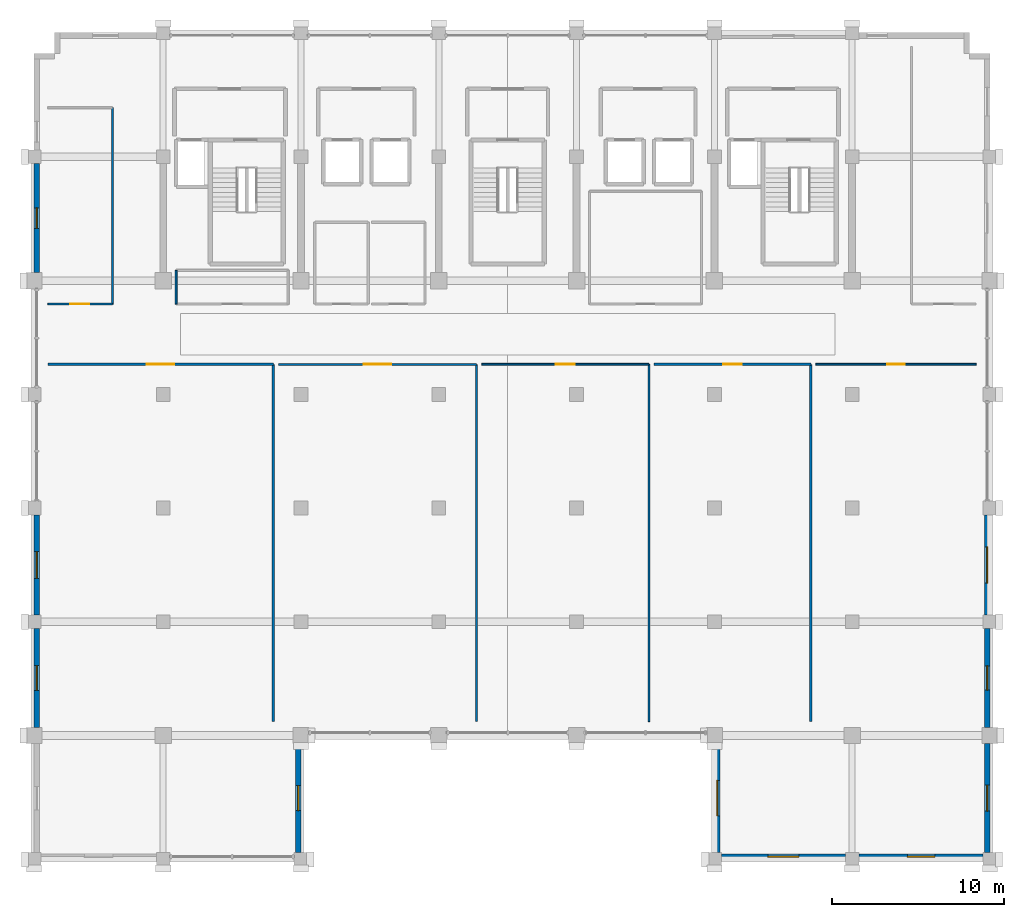
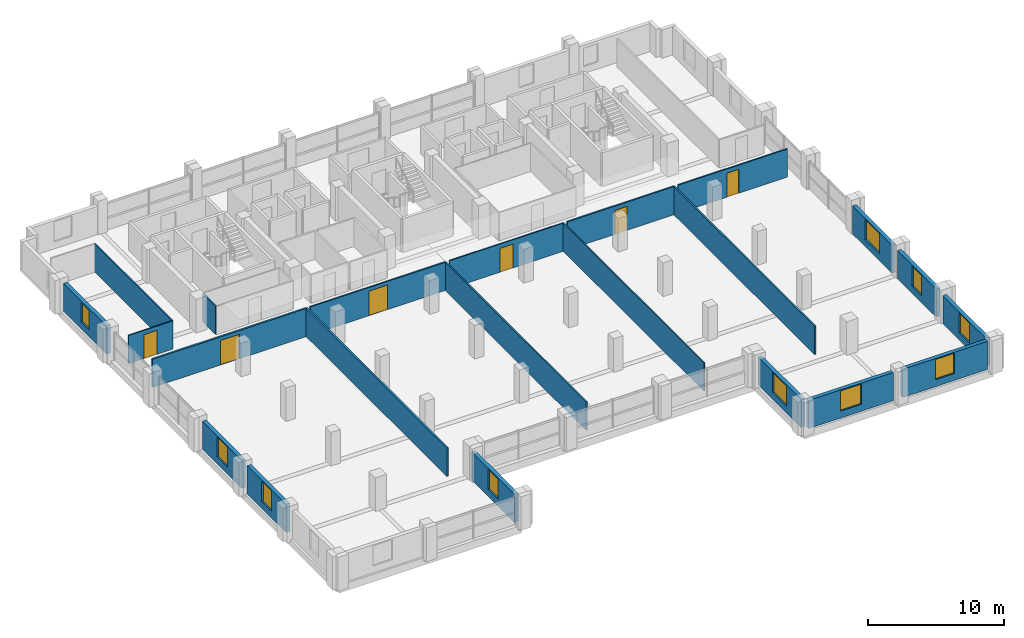
# One storey, part 19 of 23: 22 walls, 10 windows, 6 doors, 16 openings.
"""IFC4 building model written with IfcOpenShell, lengths in metres."""

from ifc_helpers import new_model, si_unit, direction, frame, frame_2d, origin, place, context, subcontext, project, spatial, rectangle, extrude, material, layer, layer_set, type_object, element, fill, save


model = new_model("IFC4")

# Units and contexts
model_context = context("Model", 3, precision=1e-05, world=origin(), true_north=direction((0.0, 1.0)))
body_context = subcontext(model_context, "Body", "Model", "MODEL_VIEW")
ifc_project = project(units=[si_unit("LENGTHUNIT", "METRE"), si_unit("AREAUNIT", "SQUARE_METRE"), si_unit("VOLUMEUNIT", "CUBIC_METRE"), si_unit("PLANEANGLEUNIT", "RADIAN"), si_unit("MASSUNIT", "GRAM", prefix="KILO")], contexts=[model_context])

# Site, building, storey
site_placement = place(None, origin())
site = spatial("IfcSite", under=ifc_project, at=site_placement, CompositionType="ELEMENT")
building_placement = place(site_placement, origin())
building = spatial("IfcBuilding", under=site, at=building_placement, Name="Akrevak Sports Hall", CompositionType="ELEMENT")
storey_placement = place(building_placement, frame((0.0, 0.0, 47.050048828125)))
storey = spatial("IfcBuildingStorey", under=building, at=storey_placement, Name="L11", CompositionType="ELEMENT", Elevation=47.050048828125)

# Wall, opening, window
ifc_material_1 = material(Name="Limestone Ashlar", Category="stone")
ifc_layer_1 = layer(ifc_material_1, 0.070068359375, Name="Limestone Ashlar")
ifc_material_2 = material(Name="Mineral Wool Thermal Insulation", Category="insulation")
ifc_layer_2 = layer(ifc_material_2, 0.090087890625, Name="Mineral Wool Thermal Insulation")
ifc_material_3 = material(Name="Concrete C40/50", Category="concrete")
ifc_layer_3 = layer(ifc_material_3, 0.159912109375, Name="Concrete C40/50")
ifc_layer_set_1 = layer_set([ifc_layer_1, ifc_layer_2, ifc_layer_3], Name="Limestone Ashlar / Mineral Wool Thermal Insulation / Concrete C40/50")
wall_type_1 = type_object("IfcWallType", Name="ARC-WL-EXT-320", PredefinedType="SOLIDWALL", material=ifc_layer_set_1)
wall_1_placement = place(storey_placement, frame((67.840087890625, 22.0, 0.0), z_axis=(0.0, 0.0, 1.0), x_axis=(0.0, 1.0, 0.0)))
wall_1 = element("IfcWall", 1, at=wall_1_placement, inside=storey, type_object=wall_type_1, Name="Tower Stone Facade Wall L11-E03", PredefinedType="SOLIDWALL", context=body_context, shape_type="SweptSolid", body=[
    extrude(rectangle(XDim=6.324951171875, YDim=0.320068359375, at=frame_2d((3.16259765625, 0.0))), origin(), (0.0, 0.0, 1.0), 2.530029296875),
])
opening_1_placement = place(wall_1_placement, frame((2.4375, 0.0, 0.6201171875)))
opening_1 = element("IfcOpeningElement", 2, at=opening_1_placement, cuts=wall_1, Name="Opening WN-51", PredefinedType="OPENING", context=body_context, shape_type="SweptSolid", body=[
    extrude(rectangle(XDim=1.449951171875, YDim=1.81005859375, at=frame_2d((0.72509765625, 0.905029296875))), frame((0.0, 0.171875, 0.0), z_axis=(0.0, -1.0, 0.0), x_axis=(1.0, 0.0, 0.0)), (0.0, 0.0, 1.0), 0.343994140625),
])
ifc_material_4 = material(Name="Thermally Broken Bronze Frame & Double Low-E Glass", Category="glass")
window_type_1 = type_object("IfcWindowType", Name="ARC-WIN-SZ-1450x1810", PartitioningType="SINGLE_PANEL", PredefinedType="WINDOW", material=ifc_material_4)
window_1_placement = place(opening_1_placement, origin())
window_1 = element("IfcWindow", 3, at=window_1_placement, inside=storey, type_object=window_type_1, Name="Tower Window L11-E03", OverallHeight=1.81005859375, OverallWidth=1.449951171875, PartitioningType="SINGLE_PANEL", PredefinedType="WINDOW", context=body_context, shape_type="SweptSolid", body=[
    extrude(rectangle(XDim=1.449951171875, YDim=1.81005859375, at=frame_2d((0.72509765625, 0.905029296875))), frame((0.0, 0.030029296875, 0.0), z_axis=(0.0, -1.0, 0.0), x_axis=(1.0, 0.0, 0.0)), (0.0, 0.0, 1.0), 0.06005859375),
])
fill(opening_1, window_1)

wall_2_placement = place(storey_placement, frame((92.159912109375, 28.324951171875, 0.0), z_axis=(0.0, 0.0, 1.0), x_axis=(0.0, -1.0, 0.0)))
wall_2 = element("IfcWall", 4, at=wall_2_placement, inside=storey, type_object=wall_type_1, Name="Tower Stone Facade Wall L11-W07", PredefinedType="SOLIDWALL", context=body_context, shape_type="SweptSolid", body=[
    extrude(rectangle(XDim=6.324951171875, YDim=0.320068359375, at=frame_2d((3.16259765625, 0.0))), origin(), (0.0, 0.0, 1.0), 2.530029296875),
])
opening_2_placement = place(wall_2_placement, frame((2.137451171875, 0.0, 0.6201171875)))
opening_2 = element("IfcOpeningElement", 5, at=opening_2_placement, cuts=wall_2, Name="Opening WN-53", PredefinedType="OPENING", context=body_context, shape_type="SweptSolid", body=[
    extrude(rectangle(XDim=2.050048828125, YDim=1.81005859375, at=frame_2d((1.02490234375, 0.905029296875))), frame((0.0, 0.171875, 0.0), z_axis=(0.0, -1.0, 0.0), x_axis=(1.0, 0.0, 0.0)), (0.0, 0.0, 1.0), 0.343994140625),
])
window_type_2 = type_object("IfcWindowType", Name="ARC-WIN-SZ-2050x1810", PartitioningType="SINGLE_PANEL", PredefinedType="WINDOW", material=ifc_material_4)
window_2_placement = place(opening_2_placement, origin())
window_2 = element("IfcWindow", 6, at=window_2_placement, inside=storey, type_object=window_type_2, Name="Tower Window L11-W07", OverallHeight=1.81005859375, OverallWidth=2.050048828125, PartitioningType="SINGLE_PANEL", PredefinedType="WINDOW", context=body_context, shape_type="SweptSolid", body=[
    extrude(rectangle(XDim=2.050048828125, YDim=1.81005859375, at=frame_2d((1.02490234375, 0.905029296875))), frame((0.0, 0.030029296875, 0.0), z_axis=(0.0, -1.0, 0.0), x_axis=(1.0, 0.0, 0.0)), (0.0, 0.0, 1.0), 0.06005859375),
])
fill(opening_2, window_2)

wall_3_placement = place(storey_placement, frame((92.39990234375, 21.760009765625, 0.0), z_axis=(0.0, 0.0, 1.0), x_axis=(1.0, 0.0, 0.0)))
wall_3 = element("IfcWall", 7, at=wall_3_placement, inside=storey, type_object=wall_type_1, Name="Tower Stone Facade Wall L11-S08", PredefinedType="SOLIDWALL", context=body_context, shape_type="SweptSolid", body=[
    extrude(rectangle(XDim=7.2001953125, YDim=0.320068359375, at=frame_2d((3.60009765625, 0.0))), origin(), (0.0, 0.0, 1.0), 2.530029296875),
])
opening_3_placement = place(wall_3_placement, frame((2.699951171875, 0.0, 0.6201171875)))
opening_3 = element("IfcOpeningElement", 8, at=opening_3_placement, cuts=wall_3, Name="Opening WN-54", PredefinedType="OPENING", context=body_context, shape_type="SweptSolid", body=[
    extrude(rectangle(XDim=1.800048828125, YDim=1.81005859375, at=frame_2d((0.89990234375, 0.905029296875))), frame((0.0, 0.171875, 0.0), z_axis=(0.0, -1.0, 0.0), x_axis=(1.0, 0.0, 0.0)), (0.0, 0.0, 1.0), 0.343994140625),
])
window_type_3 = type_object("IfcWindowType", Name="ARC-WIN-SZ-1800x1810", PartitioningType="SINGLE_PANEL", PredefinedType="WINDOW", material=ifc_material_4)
window_3_placement = place(opening_3_placement, origin())
window_3 = element("IfcWindow", 9, at=window_3_placement, inside=storey, type_object=window_type_3, Name="Tower Window L11-S08", OverallHeight=1.81005859375, OverallWidth=1.800048828125, PartitioningType="SINGLE_PANEL", PredefinedType="WINDOW", context=body_context, shape_type="SweptSolid", body=[
    extrude(rectangle(XDim=1.800048828125, YDim=1.81005859375, at=frame_2d((0.89990234375, 0.905029296875))), frame((0.0, 0.030029296875, 0.0), z_axis=(0.0, -1.0, 0.0), x_axis=(1.0, 0.0, 0.0)), (0.0, 0.0, 1.0), 0.06005859375),
])
fill(opening_3, window_3)

wall_4_placement = place(storey_placement, frame((100.39990234375, 21.760009765625, 0.0), z_axis=(0.0, 0.0, 1.0), x_axis=(1.0, 0.0, 0.0)))
wall_4 = element("IfcWall", 10, at=wall_4_placement, inside=storey, type_object=wall_type_1, Name="Tower Stone Facade Wall L11-S09", PredefinedType="SOLIDWALL", context=body_context, shape_type="SweptSolid", body=[
    extrude(rectangle(XDim=7.2001953125, YDim=0.320068359375, at=frame_2d((3.60009765625, 0.0))), origin(), (0.0, 0.0, 1.0), 2.530029296875),
])
opening_4_placement = place(wall_4_placement, frame((2.800048828125, 0.0, 0.6201171875)))
opening_4 = element("IfcOpeningElement", 11, at=opening_4_placement, cuts=wall_4, Name="Opening WN-57", PredefinedType="OPENING", context=body_context, shape_type="SweptSolid", body=[
    extrude(rectangle(XDim=1.60009765625, YDim=1.81005859375, at=frame_2d((0.800048828125, 0.905029296875))), frame((0.0, 0.171875, 0.0), z_axis=(0.0, -1.0, 0.0), x_axis=(1.0, 0.0, 0.0)), (0.0, 0.0, 1.0), 0.343994140625),
])
window_type_4 = type_object("IfcWindowType", Name="ARC-WIN-SZ-1600x1810", PartitioningType="SINGLE_PANEL", PredefinedType="WINDOW", material=ifc_material_4)
window_4_placement = place(opening_4_placement, origin())
window_4 = element("IfcWindow", 12, at=window_4_placement, inside=storey, type_object=window_type_4, Name="Tower Window L11-S09", OverallHeight=1.81005859375, OverallWidth=1.60009765625, PartitioningType="SINGLE_PANEL", PredefinedType="WINDOW", context=body_context, shape_type="SweptSolid", body=[
    extrude(rectangle(XDim=1.60009765625, YDim=1.81005859375, at=frame_2d((0.800048828125, 0.905029296875))), frame((0.0, 0.030029296875, 0.0), z_axis=(0.0, -1.0, 0.0), x_axis=(1.0, 0.0, 0.0)), (0.0, 0.0, 1.0), 0.06005859375),
])
fill(opening_4, window_4)

wall_5_placement = place(storey_placement, frame((107.840087890625, 22.0, 0.0), z_axis=(0.0, 0.0, 1.0), x_axis=(0.0, 1.0, 0.0)))
wall_5 = element("IfcWall", 13, at=wall_5_placement, inside=storey, type_object=wall_type_1, Name="Tower Stone Facade Wall L11-E10", PredefinedType="SOLIDWALL", context=body_context, shape_type="SweptSolid", body=[
    extrude(rectangle(XDim=6.324951171875, YDim=0.320068359375, at=frame_2d((3.16259765625, 0.0))), origin(), (0.0, 0.0, 1.0), 2.530029296875),
])
opening_5_placement = place(wall_5_placement, frame((2.41259765625, 0.0, 0.6201171875)))
opening_5 = element("IfcOpeningElement", 14, at=opening_5_placement, cuts=wall_5, Name="Opening WN-48", PredefinedType="OPENING", context=body_context, shape_type="SweptSolid", body=[
    extrude(rectangle(XDim=1.5, YDim=1.81005859375, at=frame_2d((0.75, 0.905029296875))), frame((0.0, 0.171875, 0.0), z_axis=(0.0, -1.0, 0.0), x_axis=(1.0, 0.0, 0.0)), (0.0, 0.0, 1.0), 0.343994140625),
])
window_type_5 = type_object("IfcWindowType", Name="ARC-WIN-SZ-1500x1810", PartitioningType="SINGLE_PANEL", PredefinedType="WINDOW", material=ifc_material_4)
window_5_placement = place(opening_5_placement, origin())
window_5 = element("IfcWindow", 15, at=window_5_placement, inside=storey, type_object=window_type_5, Name="Tower Window L11-E10", OverallHeight=1.81005859375, OverallWidth=1.5, PartitioningType="SINGLE_PANEL", PredefinedType="WINDOW", context=body_context, shape_type="SweptSolid", body=[
    extrude(rectangle(XDim=1.5, YDim=1.81005859375, at=frame_2d((0.75, 0.905029296875))), frame((0.0, 0.030029296875, 0.0), z_axis=(0.0, -1.0, 0.0), x_axis=(1.0, 0.0, 0.0)), (0.0, 0.0, 1.0), 0.06005859375),
])
fill(opening_5, window_5)

wall_6_placement = place(storey_placement, frame((107.840087890625, 29.27490234375, 0.0), z_axis=(0.0, 0.0, 1.0), x_axis=(0.0, 1.0, 0.0)))
wall_6 = element("IfcWall", 16, at=wall_6_placement, inside=storey, type_object=wall_type_1, Name="Tower Stone Facade Wall L11-E11", PredefinedType="SOLIDWALL", context=body_context, shape_type="SweptSolid", body=[
    extrude(rectangle(XDim=5.72509765625, YDim=0.320068359375, at=frame_2d((2.862548828125, 0.0))), origin(), (0.0, 0.0, 1.0), 2.530029296875),
])
opening_6_placement = place(wall_6_placement, frame((2.16259765625, 0.0, 0.6201171875)))
opening_6 = element("IfcOpeningElement", 17, at=opening_6_placement, cuts=wall_6, Name="Opening WN-49", PredefinedType="OPENING", context=body_context, shape_type="SweptSolid", body=[
    extrude(rectangle(XDim=1.39990234375, YDim=1.81005859375, at=frame_2d((0.699951171875, 0.905029296875))), frame((0.0, 0.171875, 0.0), z_axis=(0.0, -1.0, 0.0), x_axis=(1.0, 0.0, 0.0)), (0.0, 0.0, 1.0), 0.343994140625),
])
window_type_6 = type_object("IfcWindowType", Name="ARC-WIN-SZ-1400x1810", PartitioningType="SINGLE_PANEL", PredefinedType="WINDOW", material=ifc_material_4)
window_6_placement = place(opening_6_placement, origin())
window_6 = element("IfcWindow", 18, at=window_6_placement, inside=storey, type_object=window_type_6, Name="Tower Window L11-E11", OverallHeight=1.81005859375, OverallWidth=1.39990234375, PartitioningType="SINGLE_PANEL", PredefinedType="WINDOW", context=body_context, shape_type="SweptSolid", body=[
    extrude(rectangle(XDim=1.39990234375, YDim=1.81005859375, at=frame_2d((0.699951171875, 0.905029296875))), frame((0.0, 0.030029296875, 0.0), z_axis=(0.0, -1.0, 0.0), x_axis=(1.0, 0.0, 0.0)), (0.0, 0.0, 1.0), 0.06005859375),
])
fill(opening_6, window_6)

wall_7_placement = place(storey_placement, frame((107.840087890625, 35.800048828125, 0.0), z_axis=(0.0, 0.0, 1.0), x_axis=(0.0, 1.0, 0.0)))
wall_7 = element("IfcWall", 19, at=wall_7_placement, inside=storey, type_object=wall_type_1, Name="Tower Stone Facade Wall L11-E12", PredefinedType="SOLIDWALL", context=body_context, shape_type="SweptSolid", body=[
    extrude(rectangle(XDim=5.800048828125, YDim=0.320068359375, at=frame_2d((2.89990234375, 0.0))), origin(), (0.0, 0.0, 1.0), 2.530029296875),
])
opening_7_placement = place(wall_7_placement, frame((1.85009765625, 0.0, 0.6201171875)))
opening_7 = element("IfcOpeningElement", 20, at=opening_7_placement, cuts=wall_7, Name="Opening WN-55", PredefinedType="OPENING", context=body_context, shape_type="SweptSolid", body=[
    extrude(rectangle(XDim=2.10009765625, YDim=1.81005859375, at=frame_2d((1.050048828125, 0.905029296875))), frame((0.0, 0.171875, 0.0), z_axis=(0.0, -1.0, 0.0), x_axis=(1.0, 0.0, 0.0)), (0.0, 0.0, 1.0), 0.343994140625),
])
window_type_7 = type_object("IfcWindowType", Name="ARC-WIN-SZ-2100x1810", PartitioningType="SINGLE_PANEL", PredefinedType="WINDOW", material=ifc_material_4)
window_7_placement = place(opening_7_placement, origin())
window_7 = element("IfcWindow", 21, at=window_7_placement, inside=storey, type_object=window_type_7, Name="Tower Window L11-E12", OverallHeight=1.81005859375, OverallWidth=2.10009765625, PartitioningType="SINGLE_PANEL", PredefinedType="WINDOW", context=body_context, shape_type="SweptSolid", body=[
    extrude(rectangle(XDim=2.10009765625, YDim=1.81005859375, at=frame_2d((1.050048828125, 0.905029296875))), frame((0.0, 0.030029296875, 0.0), z_axis=(0.0, -1.0, 0.0), x_axis=(1.0, 0.0, 0.0)), (0.0, 0.0, 1.0), 0.06005859375),
])
fill(opening_7, window_7)

wall_8_placement = place(storey_placement, frame((52.659912109375, 62.0, 0.0), z_axis=(0.0, 0.0, 1.0), x_axis=(0.0, -1.0, 0.0)))
wall_8 = element("IfcWall", 22, at=wall_8_placement, inside=storey, type_object=wall_type_1, Name="Tower Stone Facade Wall L11-W29", PredefinedType="SOLIDWALL", context=body_context, shape_type="SweptSolid", body=[
    extrude(rectangle(XDim=6.324951171875, YDim=0.320068359375, at=frame_2d((3.16259765625, 0.0))), origin(), (0.0, 0.0, 1.0), 2.530029296875),
])
opening_8_placement = place(wall_8_placement, frame((2.5625, 0.0, 0.6201171875)))
opening_8 = element("IfcOpeningElement", 23, at=opening_8_placement, cuts=wall_8, Name="Opening WN-13", PredefinedType="OPENING", context=body_context, shape_type="SweptSolid", body=[
    extrude(rectangle(XDim=1.199951171875, YDim=1.699951171875, at=frame_2d((0.60009765625, 0.85009765625))), frame((0.0, 0.171875, 0.0), z_axis=(0.0, -1.0, 0.0), x_axis=(1.0, 0.0, 0.0)), (0.0, 0.0, 1.0), 0.343994140625),
])
window_type_8 = type_object("IfcWindowType", Name="ARC-WIN-TW-120x170", PartitioningType="SINGLE_PANEL", PredefinedType="WINDOW", material=ifc_material_4)
window_8_placement = place(opening_8_placement, origin())
window_8 = element("IfcWindow", 24, at=window_8_placement, inside=storey, type_object=window_type_8, Name="Tower Window L11-W29", OverallHeight=1.699951171875, OverallWidth=1.199951171875, PartitioningType="SINGLE_PANEL", PredefinedType="WINDOW", context=body_context, shape_type="SweptSolid", body=[
    extrude(rectangle(XDim=1.199951171875, YDim=1.699951171875, at=frame_2d((0.60009765625, 0.85009765625))), frame((0.0, 0.030029296875, 0.0), z_axis=(0.0, -1.0, 0.0), x_axis=(1.0, 0.0, 0.0)), (0.0, 0.0, 1.0), 0.06005859375),
])
fill(opening_8, window_8)

wall_9_placement = place(storey_placement, frame((52.659912109375, 41.60009765625, 0.0), z_axis=(0.0, 0.0, 1.0), x_axis=(0.0, -1.0, 0.0)))
wall_9 = element("IfcWall", 25, at=wall_9_placement, inside=storey, type_object=wall_type_1, Name="Tower Stone Facade Wall L11-W32", PredefinedType="SOLIDWALL", context=body_context, shape_type="SweptSolid", body=[
    extrude(rectangle(XDim=5.800048828125, YDim=0.320068359375, at=frame_2d((2.89990234375, 0.0))), origin(), (0.0, 0.0, 1.0), 2.530029296875),
])
opening_9_placement = place(wall_9_placement, frame((2.125, 0.0, 0.6201171875)))
opening_9 = element("IfcOpeningElement", 26, at=opening_9_placement, cuts=wall_9, Name="Opening WN-50", PredefinedType="OPENING", context=body_context, shape_type="SweptSolid", body=[
    extrude(rectangle(XDim=1.550048828125, YDim=1.81005859375, at=frame_2d((0.77490234375, 0.905029296875))), frame((0.0, 0.171875, 0.0), z_axis=(0.0, -1.0, 0.0), x_axis=(1.0, 0.0, 0.0)), (0.0, 0.0, 1.0), 0.343994140625),
])
window_type_9 = type_object("IfcWindowType", Name="ARC-WIN-SZ-1550x1810", PartitioningType="SINGLE_PANEL", PredefinedType="WINDOW", material=ifc_material_4)
window_9_placement = place(opening_9_placement, origin())
window_9 = element("IfcWindow", 27, at=window_9_placement, inside=storey, type_object=window_type_9, Name="Tower Window L11-W32", OverallHeight=1.81005859375, OverallWidth=1.550048828125, PartitioningType="SINGLE_PANEL", PredefinedType="WINDOW", context=body_context, shape_type="SweptSolid", body=[
    extrude(rectangle(XDim=1.550048828125, YDim=1.81005859375, at=frame_2d((0.77490234375, 0.905029296875))), frame((0.0, 0.030029296875, 0.0), z_axis=(0.0, -1.0, 0.0), x_axis=(1.0, 0.0, 0.0)), (0.0, 0.0, 1.0), 0.06005859375),
])
fill(opening_9, window_9)

wall_10_placement = place(storey_placement, frame((52.659912109375, 35.0, 0.0), z_axis=(0.0, 0.0, 1.0), x_axis=(0.0, -1.0, 0.0)))
wall_10 = element("IfcWall", 28, at=wall_10_placement, inside=storey, type_object=wall_type_1, Name="Tower Stone Facade Wall L11-W33", PredefinedType="SOLIDWALL", context=body_context, shape_type="SweptSolid", body=[
    extrude(rectangle(XDim=5.72509765625, YDim=0.320068359375, at=frame_2d((2.862548828125, 0.0))), origin(), (0.0, 0.0, 1.0), 2.530029296875),
])
opening_10_placement = place(wall_10_placement, frame((2.137451171875, 0.0, 0.6201171875)))
opening_10 = element("IfcOpeningElement", 29, at=opening_10_placement, cuts=wall_10, Name="Opening WN-51", PredefinedType="OPENING", context=body_context, shape_type="SweptSolid", body=[
    extrude(rectangle(XDim=1.449951171875, YDim=1.81005859375, at=frame_2d((0.72509765625, 0.905029296875))), frame((0.0, 0.171875, 0.0), z_axis=(0.0, -1.0, 0.0), x_axis=(1.0, 0.0, 0.0)), (0.0, 0.0, 1.0), 0.343994140625),
])
window_10_placement = place(opening_10_placement, origin())
window_10 = element("IfcWindow", 30, at=window_10_placement, inside=storey, type_object=window_type_1, Name="Tower Window L11-W33", OverallHeight=1.81005859375, OverallWidth=1.449951171875, PartitioningType="SINGLE_PANEL", PredefinedType="WINDOW", context=body_context, shape_type="SweptSolid", body=[
    extrude(rectangle(XDim=1.449951171875, YDim=1.81005859375, at=frame_2d((0.72509765625, 0.905029296875))), frame((0.0, 0.030029296875, 0.0), z_axis=(0.0, -1.0, 0.0), x_axis=(1.0, 0.0, 0.0)), (0.0, 0.0, 1.0), 0.06005859375),
])
fill(opening_10, window_10)

# Wall, opening, door
ifc_material_5 = material(Name="Sanitary Cubicle Partition", Category="gypsum")
ifc_layer_4 = layer(ifc_material_5, 0.10009765625, Name="Sanitary Cubicle Partition")
ifc_layer_set_2 = layer_set([ifc_layer_4], Name="Sanitary Cubicle Partition")
wall_type_2 = type_object("IfcWallType", Name="ARC-WL-PRT-100", PredefinedType="PARTITIONING", material=ifc_layer_set_2)
wall_11_placement = place(storey_placement, frame((78.5, 50.35009765625, 0.0), z_axis=(0.0, 0.0, 1.0), x_axis=(1.0, 0.0, 0.0)))
wall_11 = element("IfcWall", 31, at=wall_11_placement, inside=storey, type_object=wall_type_2, Name="Interior Partition Commentary & Editorial Office (L11) (N)", PredefinedType="PARTITIONING", context=body_context, shape_type="SweptSolid", body=[
    extrude(rectangle(XDim=9.699951171875, YDim=0.10009765625, at=frame_2d((4.85009765625, 0.0))), origin(), (0.0, 0.0, 1.0), 2.530029296875),
])
opening_11_placement = place(wall_11_placement, frame((4.300048828125, 0.0, 0.0)))
opening_11 = element("IfcOpeningElement", 32, at=opening_11_placement, cuts=wall_11, Name="Opening ID-04", PredefinedType="OPENING", context=body_context, shape_type="SweptSolid", body=[
    extrude(rectangle(XDim=1.10009765625, YDim=2.14990234375, at=frame_2d((0.550048828125, 1.074951171875))), frame((0.0, 0.06201171875, 0.0), z_axis=(0.0, -1.0, 0.0), x_axis=(1.0, 0.0, 0.0)), (0.0, 0.0, 1.0), 0.1240234375),
])
ifc_material_6 = material(Name="Hardwood Oak Acoustic Leaf", Category="wood")
door_type_1 = type_object("IfcDoorType", Name="ARC-DR-OFF-110x215", OperationType="NOTDEFINED", PredefinedType="DOOR", material=ifc_material_6)
door_1_placement = place(opening_11_placement, frame((1.10009765625, 0.0, 0.0), z_axis=(0.0, 0.0, 1.0), x_axis=(-1.0, 0.0, 0.0)))
door_1 = element("IfcDoor", 33, at=door_1_placement, inside=storey, type_object=door_type_1, Name="Door to Commentary & Editorial Office (L11)", OperationType="SINGLE_SWING_RIGHT", OverallHeight=2.14990234375, OverallWidth=1.10009765625, PredefinedType="DOOR", context=body_context, shape_type="SweptSolid", body=[
    extrude(rectangle(XDim=1.10009765625, YDim=2.14990234375, at=frame_2d((0.550048828125, 1.074951171875))), frame((0.0, 0.02490234375, 0.0), z_axis=(0.0, -1.0, 0.0), x_axis=(1.0, 0.0, 0.0)), (0.0, 0.0, 1.0), 0.050048828125),
])
fill(opening_11, door_1)

# Wall
wall_12_placement = place(storey_placement, frame((88.199951171875, 29.60009765625, 0.0), z_axis=(0.0, 0.0, 1.0), x_axis=(0.0, 1.0, 0.0)))
element("IfcWall", 34, at=wall_12_placement, inside=storey, type_object=wall_type_2, Name="Interior Partition Commentary & Editorial Office (L11) (E)", PredefinedType="PARTITIONING", context=body_context, shape_type="SweptSolid", body=[
    extrude(rectangle(XDim=20.75, YDim=0.10009765625, at=frame_2d((10.375, 0.0))), origin(), (0.0, 0.0, 1.0), 2.530029296875),
])

# Wall, opening, door
wall_13_placement = place(storey_placement, frame((53.300048828125, 53.85009765625, 0.0), z_axis=(0.0, 0.0, 1.0), x_axis=(1.0, 0.0, 0.0)))
wall_13 = element("IfcWall", 35, at=wall_13_placement, inside=storey, type_object=wall_type_2, Name="Interior Partition Federation Research Office L11-W1 (S)", PredefinedType="PARTITIONING", context=body_context, shape_type="SweptSolid", body=[
    extrude(rectangle(XDim=3.75, YDim=0.10009765625, at=frame_2d((1.875, 0.0))), origin(), (0.0, 0.0, 1.0), 2.530029296875),
])
opening_12_placement = place(wall_13_placement, frame((1.300048828125, 0.0, 0.0)))
opening_12 = element("IfcOpeningElement", 36, at=opening_12_placement, cuts=wall_13, Name="Opening ID-04", PredefinedType="OPENING", context=body_context, shape_type="SweptSolid", body=[
    extrude(rectangle(XDim=1.10009765625, YDim=2.14990234375, at=frame_2d((0.550048828125, 1.074951171875))), frame((0.0, 0.06201171875, 0.0), z_axis=(0.0, -1.0, 0.0), x_axis=(1.0, 0.0, 0.0)), (0.0, 0.0, 1.0), 0.1240234375),
])
door_2_placement = place(opening_12_placement, origin())
door_2 = element("IfcDoor", 37, at=door_2_placement, inside=storey, type_object=door_type_1, Name="Door to Federation Research Office L11-W1", OperationType="SINGLE_SWING_LEFT", OverallHeight=2.14990234375, OverallWidth=1.10009765625, PredefinedType="DOOR", context=body_context, shape_type="SweptSolid", body=[
    extrude(rectangle(XDim=1.10009765625, YDim=2.14990234375, at=frame_2d((0.550048828125, 1.074951171875))), frame((0.0, 0.02490234375, 0.0), z_axis=(0.0, -1.0, 0.0), x_axis=(1.0, 0.0, 0.0)), (0.0, 0.0, 1.0), 0.050048828125),
])
fill(opening_12, door_2)

# Wall
wall_14_placement = place(storey_placement, frame((57.050048828125, 53.85009765625, 0.0), z_axis=(0.0, 0.0, 1.0), x_axis=(0.0, 1.0, 0.0)))
element("IfcWall", 38, at=wall_14_placement, inside=storey, type_object=wall_type_2, Name="Interior Partition Federation Research Office L11-W1 (E)", PredefinedType="PARTITIONING", context=body_context, shape_type="SweptSolid", body=[
    extrude(rectangle(XDim=11.39990234375, YDim=0.10009765625, at=frame_2d((5.699951171875, 0.0))), origin(), (0.0, 0.0, 1.0), 2.530029296875),
])

# Wall, opening, door
ifc_material_7 = material(Name="Lightweight Office Partition", Category="gypsum")
ifc_layer_5 = layer(ifc_material_7, 0.110107421875, Name="Lightweight Office Partition")
ifc_layer_set_3 = layer_set([ifc_layer_5], Name="Lightweight Office Partition")
wall_type_3 = type_object("IfcWallType", Name="ARC-WL-PRT-110", PredefinedType="PARTITIONING", material=ifc_layer_set_3)
wall_15_placement = place(storey_placement, frame((97.89990234375, 50.35009765625, 0.0), z_axis=(0.0, 0.0, 1.0), x_axis=(1.0, 0.0, 0.0)))
wall_15 = element("IfcWall", 39, at=wall_15_placement, inside=storey, type_object=wall_type_3, Name="Interior Partition National Gymnastics Federation Office (L11) (N)", PredefinedType="PARTITIONING", context=body_context, shape_type="SweptSolid", body=[
    extrude(rectangle(XDim=9.300048828125, YDim=0.110107421875, at=frame_2d((4.64990234375, 0.0))), origin(), (0.0, 0.0, 1.0), 2.530029296875),
])
opening_13_placement = place(wall_15_placement, frame((4.14990234375, 0.0, 0.0)))
opening_13 = element("IfcOpeningElement", 40, at=opening_13_placement, cuts=wall_15, Name="Opening ID-06", PredefinedType="OPENING", context=body_context, shape_type="SweptSolid", body=[
    extrude(rectangle(XDim=1.0, YDim=2.14990234375, at=frame_2d((0.5, 1.074951171875))), frame((0.0, 0.06689453125, 0.0), z_axis=(0.0, -1.0, 0.0), x_axis=(1.0, 0.0, 0.0)), (0.0, 0.0, 1.0), 0.134033203125),
])
door_type_2 = type_object("IfcDoorType", Name="ARC-DR-OFF-100x215", OperationType="NOTDEFINED", PredefinedType="DOOR", material=ifc_material_6)
door_3_placement = place(opening_13_placement, frame((1.0, 0.0, 0.0), z_axis=(0.0, 0.0, 1.0), x_axis=(-1.0, 0.0, 0.0)))
door_3 = element("IfcDoor", 41, at=door_3_placement, inside=storey, type_object=door_type_2, Name="Door to National Gymnastics Federation Office (L11)", OperationType="SINGLE_SWING_RIGHT", OverallHeight=2.14990234375, OverallWidth=1.0, PredefinedType="DOOR", context=body_context, shape_type="SweptSolid", body=[
    extrude(rectangle(XDim=1.0, YDim=2.14990234375, at=frame_2d((0.5, 1.074951171875))), frame((0.0, 0.02490234375, 0.0), z_axis=(0.0, -1.0, 0.0), x_axis=(1.0, 0.0, 0.0)), (0.0, 0.0, 1.0), 0.050048828125),
])
fill(opening_13, door_3)

# Wall
wall_16_placement = place(storey_placement, frame((60.75, 53.85009765625, 0.0), z_axis=(0.0, 0.0, 1.0), x_axis=(0.0, 1.0, 0.0)))
element("IfcWall", 42, at=wall_16_placement, inside=storey, type_object=wall_type_3, Name="Interior Partition Federation Technical Office L11-CW (W)", PredefinedType="PARTITIONING", context=body_context, shape_type="SweptSolid", body=[
    extrude(rectangle(XDim=1.949951171875, YDim=0.110107421875, at=frame_2d((0.97509765625, 0.0))), origin(), (0.0, 0.0, 1.0), 2.530029296875),
])

# Wall, opening, door
ifc_material_8 = material(Name="Standard Metal Stud Partition", Category="gypsum")
ifc_layer_6 = layer(ifc_material_8, 0.1201171875, Name="Standard Metal Stud Partition")
ifc_layer_set_4 = layer_set([ifc_layer_6], Name="Standard Metal Stud Partition")
wall_type_4 = type_object("IfcWallType", Name="ARC-WL-PRT-120", PredefinedType="PARTITIONING", material=ifc_layer_set_4)
wall_17_placement = place(storey_placement, frame((66.699951171875, 50.35009765625, 0.0), z_axis=(0.0, 0.0, 1.0), x_axis=(1.0, 0.0, 0.0)))
wall_17 = element("IfcWall", 43, at=wall_17_placement, inside=storey, type_object=wall_type_4, Name="Interior Partition Media Briefing & Press Hall (L11) (N)", PredefinedType="PARTITIONING", context=body_context, shape_type="SweptSolid", body=[
    extrude(rectangle(XDim=11.5, YDim=0.1201171875, at=frame_2d((5.75, 0.0))), origin(), (0.0, 0.0, 1.0), 2.530029296875),
])
opening_14_placement = place(wall_17_placement, frame((4.949951171875, 0.0, 0.0)))
opening_14 = element("IfcOpeningElement", 44, at=opening_14_placement, cuts=wall_17, Name="Opening ID-03", PredefinedType="OPENING", context=body_context, shape_type="SweptSolid", body=[
    extrude(rectangle(XDim=1.60009765625, YDim=2.199951171875, at=frame_2d((0.800048828125, 1.10009765625))), frame((0.0, 0.072021484375, 0.0), z_axis=(0.0, -1.0, 0.0), x_axis=(1.0, 0.0, 0.0)), (0.0, 0.0, 1.0), 0.14404296875),
])
ifc_material_9 = material(Name="Hardwood Oak & Safety Glass", Category="wood")
door_type_3 = type_object("IfcDoorType", Name="ARC-DR-HALL-160x220", OperationType="DOUBLE_DOOR_SINGLE_SWING", PredefinedType="DOOR", material=ifc_material_9)
door_4_placement = place(opening_14_placement, origin())
door_4 = element("IfcDoor", 45, at=door_4_placement, inside=storey, type_object=door_type_3, Name="Door to Media Briefing & Press Hall (L11)", OperationType="DOUBLE_DOOR_SINGLE_SWING", OverallHeight=2.199951171875, OverallWidth=1.60009765625, PredefinedType="DOOR", context=body_context, shape_type="SweptSolid", body=[
    extrude(rectangle(XDim=1.60009765625, YDim=2.199951171875, at=frame_2d((0.800048828125, 1.10009765625))), frame((0.0, 0.02490234375, 0.0), z_axis=(0.0, -1.0, 0.0), x_axis=(1.0, 0.0, 0.0)), (0.0, 0.0, 1.0), 0.050048828125),
])
fill(opening_14, door_4)

# Wall
wall_18_placement = place(storey_placement, frame((78.199951171875, 29.60009765625, 0.0), z_axis=(0.0, 0.0, 1.0), x_axis=(0.0, 1.0, 0.0)))
element("IfcWall", 46, at=wall_18_placement, inside=storey, type_object=wall_type_4, Name="Interior Partition Media Briefing & Press Hall (L11) (E)", PredefinedType="PARTITIONING", context=body_context, shape_type="SweptSolid", body=[
    extrude(rectangle(XDim=20.75, YDim=0.1201171875, at=frame_2d((10.375, 0.0))), origin(), (0.0, 0.0, 1.0), 2.530029296875),
])

# Wall, opening, door
ifc_material_10 = material(Name="Acoustic Metal Stud Partition", Category="gypsum")
ifc_layer_7 = layer(ifc_material_10, 0.1298828125, Name="Acoustic Metal Stud Partition")
ifc_layer_set_5 = layer_set([ifc_layer_7], Name="Acoustic Metal Stud Partition")
wall_type_5 = type_object("IfcWallType", Name="ARC-WL-PRT-130", PredefinedType="PARTITIONING", material=ifc_layer_set_5)
wall_19_placement = place(storey_placement, frame((88.5, 50.35009765625, 0.0), z_axis=(0.0, 0.0, 1.0), x_axis=(1.0, 0.0, 0.0)))
wall_19 = element("IfcWall", 47, at=wall_19_placement, inside=storey, type_object=wall_type_5, Name="Interior Partition Digital Archive & Telemetry Lab (L11) (N)", PredefinedType="PARTITIONING", context=body_context, shape_type="SweptSolid", body=[
    extrude(rectangle(XDim=9.10009765625, YDim=0.1298828125, at=frame_2d((4.550048828125, 0.0))), origin(), (0.0, 0.0, 1.0), 2.530029296875),
])
opening_15_placement = place(wall_19_placement, frame((4.02490234375, 0.0, 0.0)))
opening_15 = element("IfcOpeningElement", 48, at=opening_15_placement, cuts=wall_19, Name="Opening ID-05", PredefinedType="OPENING", context=body_context, shape_type="SweptSolid", body=[
    extrude(rectangle(XDim=1.050048828125, YDim=2.14990234375, at=frame_2d((0.52490234375, 1.074951171875))), frame((0.0, 0.076904296875, 0.0), z_axis=(0.0, -1.0, 0.0), x_axis=(1.0, 0.0, 0.0)), (0.0, 0.0, 1.0), 0.15380859375),
])
door_type_4 = type_object("IfcDoorType", Name="ARC-DR-OFF-105x215", OperationType="NOTDEFINED", PredefinedType="DOOR", material=ifc_material_6)
door_5_placement = place(opening_15_placement, origin())
door_5 = element("IfcDoor", 49, at=door_5_placement, inside=storey, type_object=door_type_4, Name="Door to Digital Archive & Telemetry Lab (L11)", OperationType="SINGLE_SWING_LEFT", OverallHeight=2.14990234375, OverallWidth=1.050048828125, PredefinedType="DOOR", context=body_context, shape_type="SweptSolid", body=[
    extrude(rectangle(XDim=1.050048828125, YDim=2.14990234375, at=frame_2d((0.52490234375, 1.074951171875))), frame((0.0, 0.02490234375, 0.0), z_axis=(0.0, -1.0, 0.0), x_axis=(1.0, 0.0, 0.0)), (0.0, 0.0, 1.0), 0.050048828125),
])
fill(opening_15, door_5)

# Wall
wall_20_placement = place(storey_placement, frame((97.60009765625, 29.60009765625, 0.0), z_axis=(0.0, 0.0, 1.0), x_axis=(0.0, 1.0, 0.0)))
element("IfcWall", 50, at=wall_20_placement, inside=storey, type_object=wall_type_5, Name="Interior Partition Digital Archive & Telemetry Lab (L11) (E)", PredefinedType="PARTITIONING", context=body_context, shape_type="SweptSolid", body=[
    extrude(rectangle(XDim=20.75, YDim=0.1298828125, at=frame_2d((10.375, 0.0))), origin(), (0.0, 0.0, 1.0), 2.530029296875),
])

# Wall, opening, door
ifc_material_11 = material(Name="Double Stud Acoustic Gypsum Partition", Category="gypsum")
ifc_layer_8 = layer(ifc_material_11, 0.14990234375, Name="Double Stud Acoustic Gypsum Partition")
ifc_layer_set_6 = layer_set([ifc_layer_8], Name="Double Stud Acoustic Gypsum Partition")
wall_type_6 = type_object("IfcWallType", Name="ARC-WL-PRT-150", PredefinedType="PARTITIONING", material=ifc_layer_set_6)
wall_21_placement = place(storey_placement, frame((53.300048828125, 50.35009765625, 0.0), z_axis=(0.0, 0.0, 1.0), x_axis=(1.0, 0.0, 0.0)))
wall_21 = element("IfcWall", 51, at=wall_21_placement, inside=storey, type_object=wall_type_6, Name="Interior Partition Sports Broadcast Production Studio (L11) (N)", PredefinedType="PARTITIONING", context=body_context, shape_type="SweptSolid", body=[
    extrude(rectangle(XDim=13.099853515625, YDim=0.14990234375, at=frame_2d((6.5498046875, 0.0))), origin(), (0.0, 0.0, 1.0), 2.530029296875),
])
opening_16_placement = place(wall_21_placement, frame((5.75, 0.0, 0.0)))
opening_16 = element("IfcOpeningElement", 52, at=opening_16_placement, cuts=wall_21, Name="Opening ID-03", PredefinedType="OPENING", context=body_context, shape_type="SweptSolid", body=[
    extrude(rectangle(XDim=1.60009765625, YDim=2.199951171875, at=frame_2d((0.800048828125, 1.10009765625))), frame((0.0, 0.0869140625, 0.0), z_axis=(0.0, -1.0, 0.0), x_axis=(1.0, 0.0, 0.0)), (0.0, 0.0, 1.0), 0.173828125),
])
door_6_placement = place(opening_16_placement, origin())
door_6 = element("IfcDoor", 53, at=door_6_placement, inside=storey, type_object=door_type_3, Name="Door to Sports Broadcast Production Studio (L11)", OperationType="DOUBLE_DOOR_SINGLE_SWING", OverallHeight=2.199951171875, OverallWidth=1.60009765625, PredefinedType="DOOR", context=body_context, shape_type="SweptSolid", body=[
    extrude(rectangle(XDim=1.60009765625, YDim=2.199951171875, at=frame_2d((0.800048828125, 1.10009765625))), frame((0.0, 0.02490234375, 0.0), z_axis=(0.0, -1.0, 0.0), x_axis=(1.0, 0.0, 0.0)), (0.0, 0.0, 1.0), 0.050048828125),
])
fill(opening_16, door_6)

# Wall
wall_22_placement = place(storey_placement, frame((66.39990234375, 29.60009765625, 0.0), z_axis=(0.0, 0.0, 1.0), x_axis=(0.0, 1.0, 0.0)))
element("IfcWall", 54, at=wall_22_placement, inside=storey, type_object=wall_type_6, Name="Interior Partition Sports Broadcast Production Studio (L11) (E)", PredefinedType="PARTITIONING", context=body_context, shape_type="SweptSolid", body=[
    extrude(rectangle(XDim=20.75, YDim=0.14990234375, at=frame_2d((10.375, 0.0))), origin(), (0.0, 0.0, 1.0), 2.530029296875),
])

save(model, "model.ifc")
